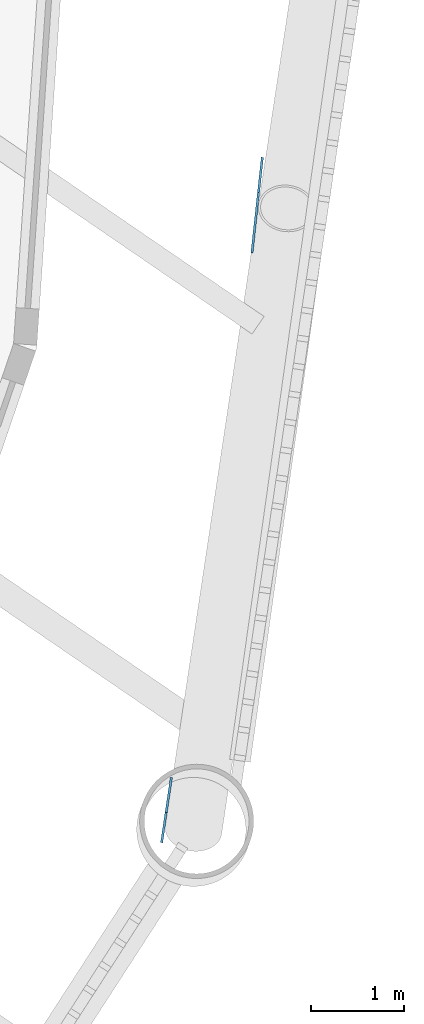
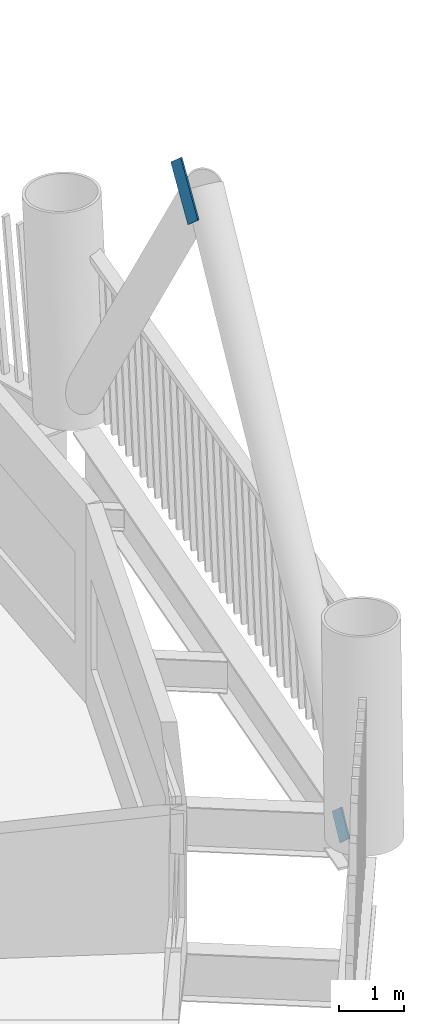
# One storey, part 10 of 22: 2 discrete accessories.
"""IFC4 building model written with IfcOpenShell, lengths in metres."""

from ifc_helpers import new_model, si_unit, direction, frame, origin, origin_2d, place, context, subcontext, project, spatial, rectangle, extrude, material, material_profile, profile_set, type_object, element, save


model = new_model("IFC4")

# Units and contexts
model_context = context("Model", 3, precision=1e-05, world=origin(), true_north=direction((0.0, 1.0)))
body_context = subcontext(model_context, "Body", "Model", "MODEL_VIEW")
ifc_project = project(units=[si_unit("LENGTHUNIT", "METRE"), si_unit("AREAUNIT", "SQUARE_METRE"), si_unit("VOLUMEUNIT", "CUBIC_METRE"), si_unit("PLANEANGLEUNIT", "RADIAN"), si_unit("MASSUNIT", "GRAM", prefix="KILO")], contexts=[model_context])

# Site, building, storey
site_placement = place(None, origin())
site = spatial("IfcSite", under=ifc_project, at=site_placement, CompositionType="ELEMENT")
building_placement = place(site_placement, origin())
building = spatial("IfcBuilding", under=site, at=building_placement, Name="Tarsis Ring Headquarters", CompositionType="ELEMENT")
storey_placement = place(building_placement, frame((0.0, 0.0, 55.60009765625)))
storey = spatial("IfcBuildingStorey", under=building, at=storey_placement, Name="L11", CompositionType="ELEMENT", Elevation=55.60009765625)

# Discrete accessories
ifc_material = material(Name="Structural steel S355", Category="steel")
ifc_material_profile = material_profile(ifc_material, rectangle(XDim=0.02490234375, YDim=0.5, at=origin_2d()), Name="PL 25x500")
ifc_profile_set = profile_set([ifc_material_profile], Name="Structural steel S355")
discrete_accessory_type = type_object("IfcDiscreteAccessoryType", Name="Gusset plate Exo brace 25", PredefinedType="BRACKET", material=ifc_profile_set)
discrete_accessory_1_placement = place(storey_placement, frame((26.851806640625, -10.240966796875, 0.0), z_axis=(0.096731107464, 0.645362590708, 0.757727008469), x_axis=(-0.988952820501, 0.148230627145, 0.0)))
element("IfcDiscreteAccessory", 1, at=discrete_accessory_1_placement, inside=storey, type_object=discrete_accessory_type, Name="Gusset plate GP5", PredefinedType="BRACKET", context=body_context, shape_type="SweptSolid", body=[
    extrude(rectangle(XDim=0.02490234375, YDim=0.5, at=origin_2d()), origin(), (0.0, 0.0, 1.0), 0.499755859375),
])
discrete_accessory_2_placement = place(storey_placement, frame((27.81005859375, -3.93310546875, 7.421142578125), z_axis=(0.070799816987, 0.648916943281, 0.757558041761), x_axis=(-0.994100710317, 0.108460950336, 0.0)))
element("IfcDiscreteAccessory", 2, at=discrete_accessory_2_placement, inside=storey, type_object=discrete_accessory_type, Name="Gusset plate GP5", PredefinedType="BRACKET", context=body_context, shape_type="SweptSolid", body=[
    extrude(rectangle(XDim=0.02490234375, YDim=0.5, at=origin_2d()), origin(), (0.0, 0.0, 1.0), 1.0),
])

save(model, "model.ifc")
